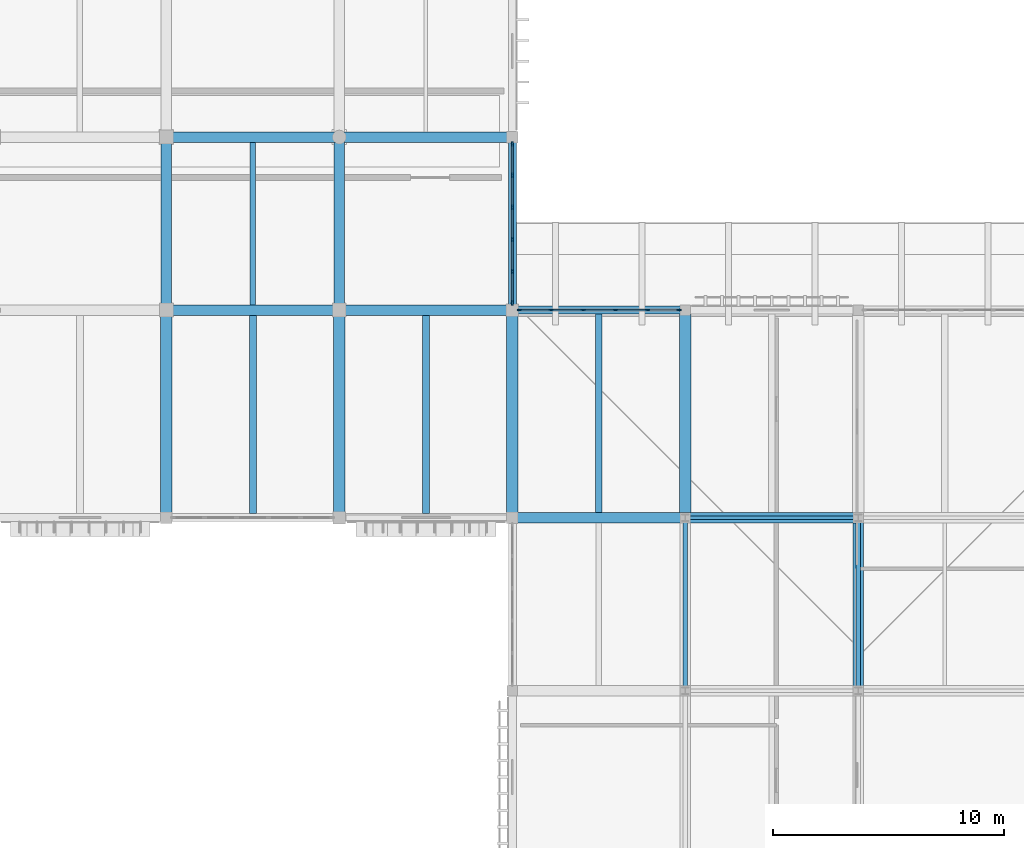
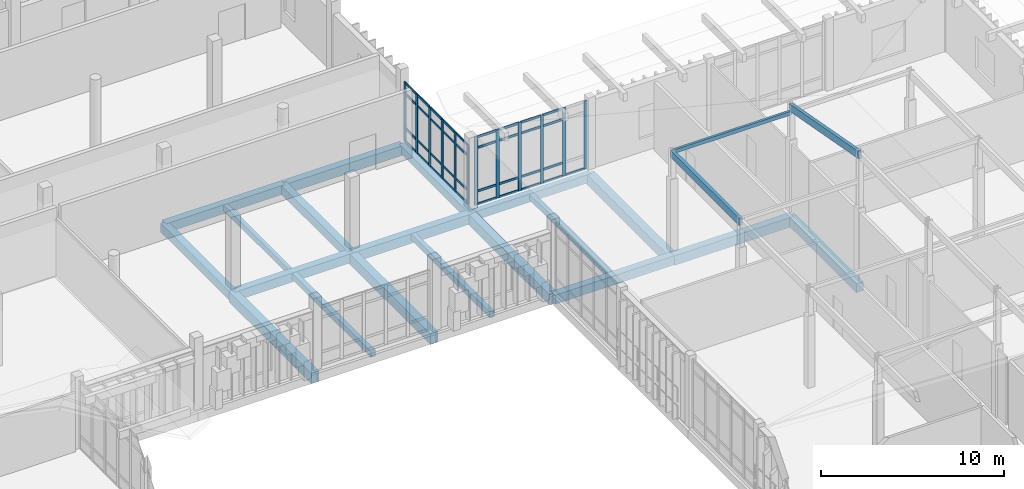
# One storey, part 70 of 131: 50 members, 21 beams, 2 elements without a shape of their own.
"""IFC4 building model written with IfcOpenShell, lengths in metres."""

from ifc_helpers import new_model, si_unit, direction, frame, origin, origin_2d, place, context, subcontext, project, spatial, rectangle, hollow_rectangle, extrude, material, layer, layer_set, material_profile, profile_set, type_object, element, aggregate, save


model = new_model("IFC4")

# Units and contexts
model_context = context("Model", 3, precision=1e-05, world=origin(), true_north=direction((0.0, 1.0)))
body_context = subcontext(model_context, "Body", "Model", "MODEL_VIEW")
ifc_project = project(units=[si_unit("LENGTHUNIT", "METRE"), si_unit("AREAUNIT", "SQUARE_METRE"), si_unit("VOLUMEUNIT", "CUBIC_METRE"), si_unit("PLANEANGLEUNIT", "RADIAN"), si_unit("MASSUNIT", "GRAM", prefix="KILO")], contexts=[model_context])

# Site, building, storey
site_placement = place(None, origin())
site = spatial("IfcSite", under=ifc_project, at=site_placement, CompositionType="ELEMENT")
building_placement = place(site_placement, origin())
building = spatial("IfcBuilding", under=site, at=building_placement, Name="Dalvernix Boulevard General Hospital", CompositionType="ELEMENT")
storey_placement = place(building_placement, frame((0.0, 0.0, 9.300048828125)))
storey = spatial("IfcBuildingStorey", under=building, at=storey_placement, Name="L02", CompositionType="ELEMENT", Elevation=9.300048828125)

# Beams
ifc_material_1 = material(Name="Concrete C35/45", Category="concrete")
ifc_material_profile_1 = material_profile(ifc_material_1, rectangle(XDim=0.5, YDim=0.699951171875, at=origin_2d()), Name="RCB 500x700")
ifc_profile_set_1 = profile_set([ifc_material_profile_1], Name="Concrete C35/45")
beam_type_1 = type_object("IfcBeamType", Name="BM-B-01-I", PredefinedType="BEAM", material=ifc_profile_set_1)
for number, where, z_axis, x_axis, name in (
    (1, (127.5, 76.5, -0.670166015625), (0.0, 1.0, 0.0), (-1.0, 0.0, 0.0), "L02 N-S girder 18:L-M"),
    (2, (135.0, 76.5, -0.670166015625), (0.0, 1.0, 0.0), (-1.0, 0.0, 0.0), "L02 N-S girder 19:L-M"),
    (3, (142.5, 76.5, -0.670166015625), (0.0, 1.0, 0.0), (-1.0, 0.0, 0.0), "L02 N-S girder 20:L-M"),
    (4, (150.0, 76.5, -0.670166015625), (0.0, 1.0, 0.0), (-1.0, 0.0, 0.0), "L02 N-S girder 21:L-M"),
):
    element("IfcBeam", number, at=place(storey_placement, frame(where, z_axis=z_axis, x_axis=x_axis)), inside=storey, type_object=beam_type_1, Name=name, PredefinedType="BEAM", context=body_context, shape_type="SweptSolid", body=[
        extrude(rectangle(XDim=0.5, YDim=0.699951171875, at=origin_2d()), origin(), (0.0, 0.0, 1.0), 9.0),
    ])
ifc_material_profile_2 = material_profile(ifc_material_1, rectangle(XDim=0.449951171875, YDim=0.64990234375, at=origin_2d()), Name="RCB 450x650")
ifc_profile_set_2 = profile_set([ifc_material_profile_2], Name="Concrete C35/45")
beam_type_2 = type_object("IfcBeamType", Name="BM-B-03-I", PredefinedType="BEAM", material=ifc_profile_set_2)
for number, where, z_axis, x_axis, name in (
    (5, (150.0, 76.5, -0.64501953125), (1.0, 0.0, 0.0), (0.0, 1.0, 0.0), "L02 E-W girder L:21-22"),
    (6, (135.0, 85.5, -0.64501953125), (1.0, 0.0, 0.0), (0.0, 1.0, 0.0), "L02 E-W girder M:19-20"),
    (7, (135.0, 93.0, -0.64501953125), (1.0, 0.0, 0.0), (0.0, 1.0, 0.0), "L02 E-W girder N:19-20"),
):
    element("IfcBeam", number, at=place(storey_placement, frame(where, z_axis=z_axis, x_axis=x_axis)), inside=storey, type_object=beam_type_2, Name=name, PredefinedType="BEAM", context=body_context, shape_type="SweptSolid", body=[
        extrude(rectangle(XDim=0.449951171875, YDim=0.64990234375, at=origin_2d()), origin(), (0.0, 0.0, 1.0), 7.5),
    ])
ifc_material_profile_3 = material_profile(ifc_material_1, rectangle(XDim=0.449951171875, YDim=0.60009765625, at=origin_2d()), Name="RCB 450x600")
ifc_profile_set_3 = profile_set([ifc_material_profile_3], Name="Concrete C35/45")
beam_type_3 = type_object("IfcBeamType", Name="BM-B-04-I", PredefinedType="BEAM", material=ifc_profile_set_3)
for number, where, z_axis, x_axis, name in (
    (8, (142.5, 76.5, -0.6201171875), (1.0, 0.0, 0.0), (0.0, 1.0, 0.0), "L02 E-W girder L:20-21"),
    (9, (127.5, 85.5, -0.6201171875), (1.0, 0.0, 0.0), (0.0, 1.0, 0.0), "L02 E-W girder M:18-19"),
    (10, (127.5, 93.0, -0.6201171875), (1.0, 0.0, 0.0), (0.0, 1.0, 0.0), "L02 E-W girder N:18-19"),
    (11, (127.5, 85.5, -0.6201171875), (0.0, 1.0, 0.0), (-1.0, 0.0, 0.0), "L02 N-S girder 18:M-N"),
    (12, (135.0, 85.5, -0.6201171875), (0.0, 1.0, 0.0), (-1.0, 0.0, 0.0), "L02 N-S girder 19:M-N"),
    (13, (157.5, 69.0, -0.6201171875), (0.0, 1.0, 0.0), (-1.0, 0.0, 0.0), "L02 N-S girder 22:K-L"),
):
    element("IfcBeam", number, at=place(storey_placement, frame(where, z_axis=z_axis, x_axis=x_axis)), inside=storey, type_object=beam_type_3, Name=name, PredefinedType="BEAM", context=body_context, shape_type="SweptSolid", body=[
        extrude(rectangle(XDim=0.449951171875, YDim=0.60009765625, at=origin_2d()), origin(), (0.0, 0.0, 1.0), 7.5),
    ])
ifc_material_2 = material(Name="Glulam GL28h", Category="wood")
ifc_material_profile_4 = material_profile(ifc_material_2, rectangle(XDim=0.199951171875, YDim=0.47998046875, at=origin_2d()), Name="GL28h 200x480")
ifc_profile_set_4 = profile_set([ifc_material_profile_4], Name="Glulam GL28h")
beam_type_4 = type_object("IfcBeamType", Name="BM-GB-T3", PredefinedType="JOIST", material=ifc_profile_set_4)
beam_1_placement = place(storey_placement, frame((150.0, 69.0, 6.371826171875), z_axis=(0.0, 1.0, 0.0), x_axis=(-1.0, 0.0, 0.0)))
element("IfcBeam", 14, at=beam_1_placement, inside=storey, type_object=beam_type_4, Name="V2 pitched glulam rafter 21:K-L", PredefinedType="JOIST", context=body_context, shape_type="SweptSolid", body=[
    extrude(rectangle(XDim=0.199951171875, YDim=0.47998046875, at=origin_2d()), origin(), (0.0, 0.0, 1.0), 7.5),
])
beam_2_placement = place(storey_placement, frame((157.5, 69.0, 8.2138671875), z_axis=(0.0, 0.983595197228, -0.180389822304), x_axis=(-1.0, 0.0, 0.0)))
element("IfcBeam", 15, at=beam_2_placement, inside=storey, type_object=beam_type_4, Name="V2 pitched glulam rafter 22:K-L", PredefinedType="JOIST", context=body_context, shape_type="SweptSolid", body=[
    extrude(rectangle(XDim=0.199951171875, YDim=0.47998046875, at=origin_2d()), origin(), (0.0, 0.0, 1.0), 7.625),
])
ifc_material_profile_5 = material_profile(ifc_material_1, rectangle(XDim=0.300048828125, YDim=0.39990234375, at=origin_2d()), Name="RCB 300x400")
ifc_profile_set_5 = profile_set([ifc_material_profile_5], Name="Concrete C35/45")
beam_type_5 = type_object("IfcBeamType", Name="BM-JB-01", PredefinedType="JOIST", material=ifc_profile_set_5)
for number, where, z_axis, x_axis, name in (
    (16, (131.25, 76.675048828125, -0.52001953125), (0.0, 1.0, 0.0), (-1.0, 0.0, 0.0), "L02 secondary floor beam 18-L"),
    (17, (138.75, 76.675048828125, -0.52001953125), (0.0, 1.0, 0.0), (-1.0, 0.0, 0.0), "L02 secondary floor beam 19-L"),
    (18, (146.25, 76.72509765625, -0.52001953125), (0.0, 1.0, 0.0), (-1.0, 0.0, 0.0), "L02 secondary floor beam 20-L"),
):
    element("IfcBeam", number, at=place(storey_placement, frame(where, z_axis=z_axis, x_axis=x_axis)), inside=storey, type_object=beam_type_5, Name=name, PredefinedType="JOIST", context=body_context, shape_type="SweptSolid", body=[
        extrude(rectangle(XDim=0.300048828125, YDim=0.39990234375, at=origin_2d()), origin(), (0.0, 0.0, 1.0), 8.599853515625),
    ])
ifc_material_profile_6 = material_profile(ifc_material_1, rectangle(XDim=0.25, YDim=0.39990234375, at=origin_2d()), Name="RCB 250x400")
ifc_profile_set_6 = profile_set([ifc_material_profile_6], Name="Concrete C35/45")
beam_type_6 = type_object("IfcBeamType", Name="BM-JB-02", PredefinedType="JOIST", material=ifc_profile_set_6)
beam_3_placement = place(storey_placement, frame((131.25, 85.72509765625, -0.52001953125), z_axis=(0.0, 1.0, 0.0), x_axis=(-1.0, 0.0, 0.0)))
element("IfcBeam", 19, at=beam_3_placement, inside=storey, type_object=beam_type_6, Name="L02 secondary floor beam 18-M", PredefinedType="JOIST", context=body_context, shape_type="SweptSolid", body=[
    extrude(rectangle(XDim=0.25, YDim=0.39990234375, at=origin_2d()), origin(), (0.0, 0.0, 1.0), 7.0498046875),
])
ifc_material_profile_7 = material_profile(ifc_material_1, rectangle(XDim=0.35009765625, YDim=0.550048828125, at=origin_2d()), Name="RCB 350x550")
ifc_profile_set_7 = profile_set([ifc_material_profile_7], Name="Concrete C35/45")
beam_type_7 = type_object("IfcBeamType", Name="BM-SB-01-E", PredefinedType="SPANDREL", material=ifc_profile_set_7)
for number, where, z_axis, x_axis, name in (
    (20, (142.5, 85.5, -0.594970703125), (1.0, 0.0, 0.0), (0.0, 1.0, 0.0), "L02 E-W girder M:20-21"),
    (21, (142.5, 85.5, -0.594970703125), (0.0, 1.0, 0.0), (-1.0, 0.0, 0.0), "L02 N-S girder 20:M-N"),
):
    element("IfcBeam", number, at=place(storey_placement, frame(where, z_axis=z_axis, x_axis=x_axis)), inside=storey, type_object=beam_type_7, Name=name, PredefinedType="SPANDREL", context=body_context, shape_type="SweptSolid", body=[
        extrude(rectangle(XDim=0.35009765625, YDim=0.550048828125, at=origin_2d()), origin(), (0.0, 0.0, 1.0), 7.5),
    ])

# Curtain wall, members
ifc_material_3 = material(Name="Thermally broken aluminium and solar-control glass curtain wall", Category="aluminium")
ifc_layer_1 = layer(ifc_material_3, 0.199951171875)
ifc_layer_set_1 = layer_set([ifc_layer_1], Name="Thermally broken aluminium and solar-control glass curtain wall (CW-CW-C-70x40)")
curtain_wall_type_1 = type_object("IfcCurtainWallType", Name="CW-CW-C-70x40", PredefinedType="USERDEFINED", material=ifc_layer_set_1)
curtain_wall_1_placement = place(storey_placement, origin())
curtain_wall_1 = element("IfcCurtainWall", 22, at=curtain_wall_1_placement, inside=storey, type_object=curtain_wall_type_1, Name="L02 curtain wall CW-C-70x40 19-11", ObjectType="GLAZED FACADE", PredefinedType="USERDEFINED")
ifc_material_4 = material(Name="Aluminium EN AW-6060", Category="aluminium")
ifc_material_profile_8 = material_profile(ifc_material_4, rectangle(XDim=0.070068359375, YDim=0.199951171875, at=origin_2d()), Name="ALU MULL 70x200")
ifc_profile_set_8 = profile_set([ifc_material_profile_8], Name="Aluminium EN AW-6060")
member_type_1 = type_object("IfcMemberType", Name="MEM-CW-M3", PredefinedType="MULLION", material=ifc_profile_set_8)
member_1_placement = place(storey_placement, frame((142.5, 92.705078125, 0.0), z_axis=(0.0, 0.0, 1.0), x_axis=(1.0, 0.0, 0.0)))
member_1 = element("IfcMember", 23, at=member_1_placement, type_object=member_type_1, Name="CW-C-70x40 mullion 1", PredefinedType="MULLION", context=body_context, shape_type="SweptSolid", body=[
    extrude(rectangle(XDim=0.070068359375, YDim=0.199951171875, at=origin_2d()), origin(), (0.0, 0.0, 1.0), 3.949951171875),
])
member_2_placement = place(storey_placement, frame((142.5, 91.34912109375, 0.0), z_axis=(0.0, 0.0, 1.0), x_axis=(1.0, 0.0, 0.0)))
member_2 = element("IfcMember", 24, at=member_2_placement, type_object=member_type_1, Name="CW-C-70x40 mullion 2", PredefinedType="MULLION", context=body_context, shape_type="SweptSolid", body=[
    extrude(rectangle(XDim=0.070068359375, YDim=0.199951171875, at=origin_2d()), origin(), (0.0, 0.0, 1.0), 3.949951171875),
])
member_3_placement = place(storey_placement, frame((142.5, 89.9580078125, 0.0), z_axis=(0.0, 0.0, 1.0), x_axis=(1.0, 0.0, 0.0)))
member_3 = element("IfcMember", 25, at=member_3_placement, type_object=member_type_1, Name="CW-C-70x40 mullion 3", PredefinedType="MULLION", context=body_context, shape_type="SweptSolid", body=[
    extrude(rectangle(XDim=0.070068359375, YDim=0.199951171875, at=origin_2d()), origin(), (0.0, 0.0, 1.0), 3.949951171875),
])
member_4_placement = place(storey_placement, frame((142.5, 88.56689453125, 0.0), z_axis=(0.0, 0.0, 1.0), x_axis=(1.0, 0.0, 0.0)))
member_4 = element("IfcMember", 26, at=member_4_placement, type_object=member_type_1, Name="CW-C-70x40 mullion 4", PredefinedType="MULLION", context=body_context, shape_type="SweptSolid", body=[
    extrude(rectangle(XDim=0.070068359375, YDim=0.199951171875, at=origin_2d()), origin(), (0.0, 0.0, 1.0), 3.949951171875),
])
member_5_placement = place(storey_placement, frame((142.5, 87.176025390625, 0.0), z_axis=(0.0, 0.0, 1.0), x_axis=(1.0, 0.0, 0.0)))
member_5 = element("IfcMember", 27, at=member_5_placement, type_object=member_type_1, Name="CW-C-70x40 mullion 5", PredefinedType="MULLION", context=body_context, shape_type="SweptSolid", body=[
    extrude(rectangle(XDim=0.070068359375, YDim=0.199951171875, at=origin_2d()), origin(), (0.0, 0.0, 1.0), 3.949951171875),
])
member_6_placement = place(storey_placement, frame((142.5, 85.820068359375, 0.0), z_axis=(0.0, 0.0, 1.0), x_axis=(1.0, 0.0, 0.0)))
member_6 = element("IfcMember", 28, at=member_6_placement, type_object=member_type_1, Name="CW-C-70x40 mullion 6", PredefinedType="MULLION", context=body_context, shape_type="SweptSolid", body=[
    extrude(rectangle(XDim=0.070068359375, YDim=0.199951171875, at=origin_2d()), origin(), (0.0, 0.0, 1.0), 3.949951171875),
])

ifc_layer_2 = layer(ifc_material_3, 0.199951171875)
ifc_layer_set_2 = layer_set([ifc_layer_2], Name="Thermally broken aluminium and solar-control glass curtain wall (CW-CW-C-70x46)")
curtain_wall_type_2 = type_object("IfcCurtainWallType", Name="CW-CW-C-70x46", PredefinedType="USERDEFINED", material=ifc_layer_set_2)
curtain_wall_2_placement = place(storey_placement, origin())
curtain_wall_2 = element("IfcCurtainWall", 29, at=curtain_wall_2_placement, inside=storey, type_object=curtain_wall_type_2, Name="L02 curtain wall CW-C-70x46 19-11", ObjectType="GLAZED FACADE", PredefinedType="USERDEFINED")
member_7_placement = place(storey_placement, frame((142.820068359375, 85.5, 0.0), z_axis=(0.0, 0.0, 1.0), x_axis=(0.0, 1.0, 0.0)))
member_7 = element("IfcMember", 30, at=member_7_placement, type_object=member_type_1, Name="CW-C-70x46 mullion 1", PredefinedType="MULLION", context=body_context, shape_type="SweptSolid", body=[
    extrude(rectangle(XDim=0.070068359375, YDim=0.199951171875, at=origin_2d()), origin(), (0.0, 0.0, 1.0), 4.550048828125),
])
member_8_placement = place(storey_placement, frame((144.180908203125, 85.5, 0.0), z_axis=(0.0, 0.0, 1.0), x_axis=(0.0, 1.0, 0.0)))
member_8 = element("IfcMember", 31, at=member_8_placement, type_object=member_type_1, Name="CW-C-70x46 mullion 2", PredefinedType="MULLION", context=body_context, shape_type="SweptSolid", body=[
    extrude(rectangle(XDim=0.070068359375, YDim=0.199951171875, at=origin_2d()), origin(), (0.0, 0.0, 1.0), 4.550048828125),
])
member_9_placement = place(storey_placement, frame((145.576904296875, 85.5, 0.0), z_axis=(0.0, 0.0, 1.0), x_axis=(0.0, 1.0, 0.0)))
member_9 = element("IfcMember", 32, at=member_9_placement, type_object=member_type_1, Name="CW-C-70x46 mullion 3", PredefinedType="MULLION", context=body_context, shape_type="SweptSolid", body=[
    extrude(rectangle(XDim=0.070068359375, YDim=0.199951171875, at=origin_2d()), origin(), (0.0, 0.0, 1.0), 4.550048828125),
])
member_10_placement = place(storey_placement, frame((146.972900390625, 85.5, 0.0), z_axis=(0.0, 0.0, 1.0), x_axis=(0.0, 1.0, 0.0)))
member_10 = element("IfcMember", 33, at=member_10_placement, type_object=member_type_1, Name="CW-C-70x46 mullion 4", PredefinedType="MULLION", context=body_context, shape_type="SweptSolid", body=[
    extrude(rectangle(XDim=0.070068359375, YDim=0.199951171875, at=origin_2d()), origin(), (0.0, 0.0, 1.0), 4.550048828125),
])
member_11_placement = place(storey_placement, frame((148.368896484375, 85.5, 0.0), z_axis=(0.0, 0.0, 1.0), x_axis=(0.0, 1.0, 0.0)))
member_11 = element("IfcMember", 34, at=member_11_placement, type_object=member_type_1, Name="CW-C-70x46 mullion 5", PredefinedType="MULLION", context=body_context, shape_type="SweptSolid", body=[
    extrude(rectangle(XDim=0.070068359375, YDim=0.199951171875, at=origin_2d()), origin(), (0.0, 0.0, 1.0), 4.550048828125),
])
member_12_placement = place(storey_placement, frame((149.72998046875, 85.5, 0.0), z_axis=(0.0, 0.0, 1.0), x_axis=(0.0, 1.0, 0.0)))
member_12 = element("IfcMember", 35, at=member_12_placement, type_object=member_type_1, Name="CW-C-70x46 mullion 6", PredefinedType="MULLION", context=body_context, shape_type="SweptSolid", body=[
    extrude(rectangle(XDim=0.070068359375, YDim=0.199951171875, at=origin_2d()), origin(), (0.0, 0.0, 1.0), 4.550048828125),
])

# Member
ifc_material_profile_9 = material_profile(ifc_material_4, rectangle(XDim=0.070068359375, YDim=0.14990234375, at=origin_2d()), Name="ALU TRAN 70x150")
ifc_profile_set_9 = profile_set([ifc_material_profile_9], Name="Aluminium EN AW-6060")
member_type_2 = type_object("IfcMemberType", Name="MEM-CW-T3", PredefinedType="USERDEFINED", material=ifc_profile_set_9)
member_13_placement = place(storey_placement, frame((142.5, 92.669921875, 0.034912109375), z_axis=(0.0, -1.0, 0.0), x_axis=(1.0, 0.0, 0.0)))
member_13 = element("IfcMember", 36, at=member_13_placement, type_object=member_type_2, Name="CW-C-70x40 transom 1.1", ObjectType="TRANSOM", PredefinedType="USERDEFINED", context=body_context, shape_type="SweptSolid", body=[
    extrude(rectangle(XDim=0.070068359375, YDim=0.14990234375, at=origin_2d()), origin(), (0.0, 0.0, 1.0), 1.285888671875),
])

member_14_placement = place(storey_placement, frame((142.5, 92.669921875, 0.89990234375), z_axis=(0.0, -1.0, 0.0), x_axis=(1.0, 0.0, 0.0)))
member_14 = element("IfcMember", 37, at=member_14_placement, type_object=member_type_2, Name="CW-C-70x40 transom 1.2", ObjectType="TRANSOM", PredefinedType="USERDEFINED", context=body_context, shape_type="SweptSolid", body=[
    extrude(rectangle(XDim=0.070068359375, YDim=0.14990234375, at=origin_2d()), origin(), (0.0, 0.0, 1.0), 1.285888671875),
])

member_15_placement = place(storey_placement, frame((142.5, 92.669921875, 3.199951171875), z_axis=(0.0, -1.0, 0.0), x_axis=(1.0, 0.0, 0.0)))
member_15 = element("IfcMember", 38, at=member_15_placement, type_object=member_type_2, Name="CW-C-70x40 transom 1.3", ObjectType="TRANSOM", PredefinedType="USERDEFINED", context=body_context, shape_type="SweptSolid", body=[
    extrude(rectangle(XDim=0.070068359375, YDim=0.14990234375, at=origin_2d()), origin(), (0.0, 0.0, 1.0), 1.285888671875),
])

member_16_placement = place(storey_placement, frame((142.5, 92.669921875, 3.9150390625), z_axis=(0.0, -1.0, 0.0), x_axis=(1.0, 0.0, 0.0)))
member_16 = element("IfcMember", 39, at=member_16_placement, type_object=member_type_2, Name="CW-C-70x40 transom 1.4", ObjectType="TRANSOM", PredefinedType="USERDEFINED", context=body_context, shape_type="SweptSolid", body=[
    extrude(rectangle(XDim=0.070068359375, YDim=0.14990234375, at=origin_2d()), origin(), (0.0, 0.0, 1.0), 1.285888671875),
])

member_17_placement = place(storey_placement, frame((142.5, 91.31396484375, 0.034912109375), z_axis=(0.0, -1.0, 0.0), x_axis=(1.0, 0.0, 0.0)))
member_17 = element("IfcMember", 40, at=member_17_placement, type_object=member_type_2, Name="CW-C-70x40 transom 2.1", ObjectType="TRANSOM", PredefinedType="USERDEFINED", context=body_context, shape_type="SweptSolid", body=[
    extrude(rectangle(XDim=0.070068359375, YDim=0.14990234375, at=origin_2d()), origin(), (0.0, 0.0, 1.0), 1.321044921875),
])

member_18_placement = place(storey_placement, frame((142.5, 91.31396484375, 0.89990234375), z_axis=(0.0, -1.0, 0.0), x_axis=(1.0, 0.0, 0.0)))
member_18 = element("IfcMember", 41, at=member_18_placement, type_object=member_type_2, Name="CW-C-70x40 transom 2.2", ObjectType="TRANSOM", PredefinedType="USERDEFINED", context=body_context, shape_type="SweptSolid", body=[
    extrude(rectangle(XDim=0.070068359375, YDim=0.14990234375, at=origin_2d()), origin(), (0.0, 0.0, 1.0), 1.321044921875),
])

member_19_placement = place(storey_placement, frame((142.5, 91.31396484375, 3.199951171875), z_axis=(0.0, -1.0, 0.0), x_axis=(1.0, 0.0, 0.0)))
member_19 = element("IfcMember", 42, at=member_19_placement, type_object=member_type_2, Name="CW-C-70x40 transom 2.3", ObjectType="TRANSOM", PredefinedType="USERDEFINED", context=body_context, shape_type="SweptSolid", body=[
    extrude(rectangle(XDim=0.070068359375, YDim=0.14990234375, at=origin_2d()), origin(), (0.0, 0.0, 1.0), 1.321044921875),
])

member_20_placement = place(storey_placement, frame((142.5, 91.31396484375, 3.9150390625), z_axis=(0.0, -1.0, 0.0), x_axis=(1.0, 0.0, 0.0)))
member_20 = element("IfcMember", 43, at=member_20_placement, type_object=member_type_2, Name="CW-C-70x40 transom 2.4", ObjectType="TRANSOM", PredefinedType="USERDEFINED", context=body_context, shape_type="SweptSolid", body=[
    extrude(rectangle(XDim=0.070068359375, YDim=0.14990234375, at=origin_2d()), origin(), (0.0, 0.0, 1.0), 1.321044921875),
])

member_21_placement = place(storey_placement, frame((142.5, 89.923095703125, 0.034912109375), z_axis=(0.0, -1.0, 0.0), x_axis=(1.0, 0.0, 0.0)))
member_21 = element("IfcMember", 44, at=member_21_placement, type_object=member_type_2, Name="CW-C-70x40 transom 3.1", ObjectType="TRANSOM", PredefinedType="USERDEFINED", context=body_context, shape_type="SweptSolid", body=[
    extrude(rectangle(XDim=0.070068359375, YDim=0.14990234375, at=origin_2d()), origin(), (0.0, 0.0, 1.0), 1.321044921875),
])

member_22_placement = place(storey_placement, frame((142.5, 89.923095703125, 0.89990234375), z_axis=(0.0, -1.0, 0.0), x_axis=(1.0, 0.0, 0.0)))
member_22 = element("IfcMember", 45, at=member_22_placement, type_object=member_type_2, Name="CW-C-70x40 transom 3.2", ObjectType="TRANSOM", PredefinedType="USERDEFINED", context=body_context, shape_type="SweptSolid", body=[
    extrude(rectangle(XDim=0.070068359375, YDim=0.14990234375, at=origin_2d()), origin(), (0.0, 0.0, 1.0), 1.321044921875),
])

member_23_placement = place(storey_placement, frame((142.5, 89.923095703125, 3.199951171875), z_axis=(0.0, -1.0, 0.0), x_axis=(1.0, 0.0, 0.0)))
member_23 = element("IfcMember", 46, at=member_23_placement, type_object=member_type_2, Name="CW-C-70x40 transom 3.3", ObjectType="TRANSOM", PredefinedType="USERDEFINED", context=body_context, shape_type="SweptSolid", body=[
    extrude(rectangle(XDim=0.070068359375, YDim=0.14990234375, at=origin_2d()), origin(), (0.0, 0.0, 1.0), 1.321044921875),
])

member_24_placement = place(storey_placement, frame((142.5, 89.923095703125, 3.9150390625), z_axis=(0.0, -1.0, 0.0), x_axis=(1.0, 0.0, 0.0)))
member_24 = element("IfcMember", 47, at=member_24_placement, type_object=member_type_2, Name="CW-C-70x40 transom 3.4", ObjectType="TRANSOM", PredefinedType="USERDEFINED", context=body_context, shape_type="SweptSolid", body=[
    extrude(rectangle(XDim=0.070068359375, YDim=0.14990234375, at=origin_2d()), origin(), (0.0, 0.0, 1.0), 1.321044921875),
])

member_25_placement = place(storey_placement, frame((142.5, 88.531982421875, 0.034912109375), z_axis=(0.0, -1.0, 0.0), x_axis=(1.0, 0.0, 0.0)))
member_25 = element("IfcMember", 48, at=member_25_placement, type_object=member_type_2, Name="CW-C-70x40 transom 4.1", ObjectType="TRANSOM", PredefinedType="USERDEFINED", context=body_context, shape_type="SweptSolid", body=[
    extrude(rectangle(XDim=0.070068359375, YDim=0.14990234375, at=origin_2d()), origin(), (0.0, 0.0, 1.0), 1.321044921875),
])

member_26_placement = place(storey_placement, frame((142.5, 88.531982421875, 0.89990234375), z_axis=(0.0, -1.0, 0.0), x_axis=(1.0, 0.0, 0.0)))
member_26 = element("IfcMember", 49, at=member_26_placement, type_object=member_type_2, Name="CW-C-70x40 transom 4.2", ObjectType="TRANSOM", PredefinedType="USERDEFINED", context=body_context, shape_type="SweptSolid", body=[
    extrude(rectangle(XDim=0.070068359375, YDim=0.14990234375, at=origin_2d()), origin(), (0.0, 0.0, 1.0), 1.321044921875),
])

member_27_placement = place(storey_placement, frame((142.5, 88.531982421875, 3.199951171875), z_axis=(0.0, -1.0, 0.0), x_axis=(1.0, 0.0, 0.0)))
member_27 = element("IfcMember", 50, at=member_27_placement, type_object=member_type_2, Name="CW-C-70x40 transom 4.3", ObjectType="TRANSOM", PredefinedType="USERDEFINED", context=body_context, shape_type="SweptSolid", body=[
    extrude(rectangle(XDim=0.070068359375, YDim=0.14990234375, at=origin_2d()), origin(), (0.0, 0.0, 1.0), 1.321044921875),
])

member_28_placement = place(storey_placement, frame((142.5, 88.531982421875, 3.9150390625), z_axis=(0.0, -1.0, 0.0), x_axis=(1.0, 0.0, 0.0)))
member_28 = element("IfcMember", 51, at=member_28_placement, type_object=member_type_2, Name="CW-C-70x40 transom 4.4", ObjectType="TRANSOM", PredefinedType="USERDEFINED", context=body_context, shape_type="SweptSolid", body=[
    extrude(rectangle(XDim=0.070068359375, YDim=0.14990234375, at=origin_2d()), origin(), (0.0, 0.0, 1.0), 1.321044921875),
])

member_29_placement = place(storey_placement, frame((142.5, 87.14111328125, 0.034912109375), z_axis=(0.0, -1.0, 0.0), x_axis=(1.0, 0.0, 0.0)))
member_29 = element("IfcMember", 52, at=member_29_placement, type_object=member_type_2, Name="CW-C-70x40 transom 5.1", ObjectType="TRANSOM", PredefinedType="USERDEFINED", context=body_context, shape_type="SweptSolid", body=[
    extrude(rectangle(XDim=0.070068359375, YDim=0.14990234375, at=origin_2d()), origin(), (0.0, 0.0, 1.0), 1.2861328125),
])

member_30_placement = place(storey_placement, frame((142.5, 87.14111328125, 0.89990234375), z_axis=(0.0, -1.0, 0.0), x_axis=(1.0, 0.0, 0.0)))
member_30 = element("IfcMember", 53, at=member_30_placement, type_object=member_type_2, Name="CW-C-70x40 transom 5.2", ObjectType="TRANSOM", PredefinedType="USERDEFINED", context=body_context, shape_type="SweptSolid", body=[
    extrude(rectangle(XDim=0.070068359375, YDim=0.14990234375, at=origin_2d()), origin(), (0.0, 0.0, 1.0), 1.2861328125),
])

member_31_placement = place(storey_placement, frame((142.5, 87.14111328125, 3.199951171875), z_axis=(0.0, -1.0, 0.0), x_axis=(1.0, 0.0, 0.0)))
member_31 = element("IfcMember", 54, at=member_31_placement, type_object=member_type_2, Name="CW-C-70x40 transom 5.3", ObjectType="TRANSOM", PredefinedType="USERDEFINED", context=body_context, shape_type="SweptSolid", body=[
    extrude(rectangle(XDim=0.070068359375, YDim=0.14990234375, at=origin_2d()), origin(), (0.0, 0.0, 1.0), 1.2861328125),
])

member_32_placement = place(storey_placement, frame((142.5, 87.14111328125, 3.9150390625), z_axis=(0.0, -1.0, 0.0), x_axis=(1.0, 0.0, 0.0)))
member_32 = element("IfcMember", 55, at=member_32_placement, type_object=member_type_2, Name="CW-C-70x40 transom 5.4", ObjectType="TRANSOM", PredefinedType="USERDEFINED", context=body_context, shape_type="SweptSolid", body=[
    extrude(rectangle(XDim=0.070068359375, YDim=0.14990234375, at=origin_2d()), origin(), (0.0, 0.0, 1.0), 1.2861328125),
])

aggregate(curtain_wall_1, [member_1, member_2, member_3, member_4, member_5, member_6, member_13, member_14, member_15, member_16, member_17, member_18, member_19, member_20, member_21, member_22, member_23, member_24, member_25, member_26, member_27, member_28, member_29, member_30, member_31, member_32])

member_33_placement = place(storey_placement, frame((142.85498046875, 85.5, 0.034912109375), z_axis=(1.0, 0.0, 0.0), x_axis=(0.0, 1.0, 0.0)))
member_33 = element("IfcMember", 56, at=member_33_placement, type_object=member_type_2, Name="CW-C-70x46 transom 1.1", ObjectType="TRANSOM", PredefinedType="USERDEFINED", context=body_context, shape_type="SweptSolid", body=[
    extrude(rectangle(XDim=0.070068359375, YDim=0.14990234375, at=origin_2d()), origin(), (0.0, 0.0, 1.0), 1.291015625),
])

member_34_placement = place(storey_placement, frame((142.85498046875, 85.5, 0.89990234375), z_axis=(1.0, 0.0, 0.0), x_axis=(0.0, 1.0, 0.0)))
member_34 = element("IfcMember", 57, at=member_34_placement, type_object=member_type_2, Name="CW-C-70x46 transom 1.2", ObjectType="TRANSOM", PredefinedType="USERDEFINED", context=body_context, shape_type="SweptSolid", body=[
    extrude(rectangle(XDim=0.070068359375, YDim=0.14990234375, at=origin_2d()), origin(), (0.0, 0.0, 1.0), 1.291015625),
])

member_35_placement = place(storey_placement, frame((142.85498046875, 85.5, 3.800048828125), z_axis=(1.0, 0.0, 0.0), x_axis=(0.0, 1.0, 0.0)))
member_35 = element("IfcMember", 58, at=member_35_placement, type_object=member_type_2, Name="CW-C-70x46 transom 1.3", ObjectType="TRANSOM", PredefinedType="USERDEFINED", context=body_context, shape_type="SweptSolid", body=[
    extrude(rectangle(XDim=0.070068359375, YDim=0.14990234375, at=origin_2d()), origin(), (0.0, 0.0, 1.0), 1.291015625),
])

member_36_placement = place(storey_placement, frame((142.85498046875, 85.5, 4.514892578125), z_axis=(1.0, 0.0, 0.0), x_axis=(0.0, 1.0, 0.0)))
member_36 = element("IfcMember", 59, at=member_36_placement, type_object=member_type_2, Name="CW-C-70x46 transom 1.4", ObjectType="TRANSOM", PredefinedType="USERDEFINED", context=body_context, shape_type="SweptSolid", body=[
    extrude(rectangle(XDim=0.070068359375, YDim=0.14990234375, at=origin_2d()), origin(), (0.0, 0.0, 1.0), 1.291015625),
])

member_37_placement = place(storey_placement, frame((144.216064453125, 85.5, 0.034912109375), z_axis=(1.0, 0.0, 0.0), x_axis=(0.0, 1.0, 0.0)))
member_37 = element("IfcMember", 60, at=member_37_placement, type_object=member_type_2, Name="CW-C-70x46 transom 2.1", ObjectType="TRANSOM", PredefinedType="USERDEFINED", context=body_context, shape_type="SweptSolid", body=[
    extrude(rectangle(XDim=0.070068359375, YDim=0.14990234375, at=origin_2d()), origin(), (0.0, 0.0, 1.0), 1.325927734375),
])

member_38_placement = place(storey_placement, frame((144.216064453125, 85.5, 0.89990234375), z_axis=(1.0, 0.0, 0.0), x_axis=(0.0, 1.0, 0.0)))
member_38 = element("IfcMember", 61, at=member_38_placement, type_object=member_type_2, Name="CW-C-70x46 transom 2.2", ObjectType="TRANSOM", PredefinedType="USERDEFINED", context=body_context, shape_type="SweptSolid", body=[
    extrude(rectangle(XDim=0.070068359375, YDim=0.14990234375, at=origin_2d()), origin(), (0.0, 0.0, 1.0), 1.325927734375),
])

member_39_placement = place(storey_placement, frame((144.216064453125, 85.5, 3.800048828125), z_axis=(1.0, 0.0, 0.0), x_axis=(0.0, 1.0, 0.0)))
member_39 = element("IfcMember", 62, at=member_39_placement, type_object=member_type_2, Name="CW-C-70x46 transom 2.3", ObjectType="TRANSOM", PredefinedType="USERDEFINED", context=body_context, shape_type="SweptSolid", body=[
    extrude(rectangle(XDim=0.070068359375, YDim=0.14990234375, at=origin_2d()), origin(), (0.0, 0.0, 1.0), 1.325927734375),
])

member_40_placement = place(storey_placement, frame((144.216064453125, 85.5, 4.514892578125), z_axis=(1.0, 0.0, 0.0), x_axis=(0.0, 1.0, 0.0)))
member_40 = element("IfcMember", 63, at=member_40_placement, type_object=member_type_2, Name="CW-C-70x46 transom 2.4", ObjectType="TRANSOM", PredefinedType="USERDEFINED", context=body_context, shape_type="SweptSolid", body=[
    extrude(rectangle(XDim=0.070068359375, YDim=0.14990234375, at=origin_2d()), origin(), (0.0, 0.0, 1.0), 1.325927734375),
])

member_41_placement = place(storey_placement, frame((145.612060546875, 85.5, 0.034912109375), z_axis=(1.0, 0.0, 0.0), x_axis=(0.0, 1.0, 0.0)))
member_41 = element("IfcMember", 64, at=member_41_placement, type_object=member_type_2, Name="CW-C-70x46 transom 3.1", ObjectType="TRANSOM", PredefinedType="USERDEFINED", context=body_context, shape_type="SweptSolid", body=[
    extrude(rectangle(XDim=0.070068359375, YDim=0.14990234375, at=origin_2d()), origin(), (0.0, 0.0, 1.0), 1.325927734375),
])

member_42_placement = place(storey_placement, frame((145.612060546875, 85.5, 0.89990234375), z_axis=(1.0, 0.0, 0.0), x_axis=(0.0, 1.0, 0.0)))
member_42 = element("IfcMember", 65, at=member_42_placement, type_object=member_type_2, Name="CW-C-70x46 transom 3.2", ObjectType="TRANSOM", PredefinedType="USERDEFINED", context=body_context, shape_type="SweptSolid", body=[
    extrude(rectangle(XDim=0.070068359375, YDim=0.14990234375, at=origin_2d()), origin(), (0.0, 0.0, 1.0), 1.325927734375),
])

member_43_placement = place(storey_placement, frame((145.612060546875, 85.5, 3.800048828125), z_axis=(1.0, 0.0, 0.0), x_axis=(0.0, 1.0, 0.0)))
member_43 = element("IfcMember", 66, at=member_43_placement, type_object=member_type_2, Name="CW-C-70x46 transom 3.3", ObjectType="TRANSOM", PredefinedType="USERDEFINED", context=body_context, shape_type="SweptSolid", body=[
    extrude(rectangle(XDim=0.070068359375, YDim=0.14990234375, at=origin_2d()), origin(), (0.0, 0.0, 1.0), 1.325927734375),
])

member_44_placement = place(storey_placement, frame((145.612060546875, 85.5, 4.514892578125), z_axis=(1.0, 0.0, 0.0), x_axis=(0.0, 1.0, 0.0)))
member_44 = element("IfcMember", 67, at=member_44_placement, type_object=member_type_2, Name="CW-C-70x46 transom 3.4", ObjectType="TRANSOM", PredefinedType="USERDEFINED", context=body_context, shape_type="SweptSolid", body=[
    extrude(rectangle(XDim=0.070068359375, YDim=0.14990234375, at=origin_2d()), origin(), (0.0, 0.0, 1.0), 1.325927734375),
])

member_45_placement = place(storey_placement, frame((147.008056640625, 85.5, 0.034912109375), z_axis=(1.0, 0.0, 0.0), x_axis=(0.0, 1.0, 0.0)))
member_45 = element("IfcMember", 68, at=member_45_placement, type_object=member_type_2, Name="CW-C-70x46 transom 4.1", ObjectType="TRANSOM", PredefinedType="USERDEFINED", context=body_context, shape_type="SweptSolid", body=[
    extrude(rectangle(XDim=0.070068359375, YDim=0.14990234375, at=origin_2d()), origin(), (0.0, 0.0, 1.0), 1.325927734375),
])

member_46_placement = place(storey_placement, frame((147.008056640625, 85.5, 0.89990234375), z_axis=(1.0, 0.0, 0.0), x_axis=(0.0, 1.0, 0.0)))
member_46 = element("IfcMember", 69, at=member_46_placement, type_object=member_type_2, Name="CW-C-70x46 transom 4.2", ObjectType="TRANSOM", PredefinedType="USERDEFINED", context=body_context, shape_type="SweptSolid", body=[
    extrude(rectangle(XDim=0.070068359375, YDim=0.14990234375, at=origin_2d()), origin(), (0.0, 0.0, 1.0), 1.325927734375),
])

member_47_placement = place(storey_placement, frame((147.008056640625, 85.5, 3.800048828125), z_axis=(1.0, 0.0, 0.0), x_axis=(0.0, 1.0, 0.0)))
member_47 = element("IfcMember", 70, at=member_47_placement, type_object=member_type_2, Name="CW-C-70x46 transom 4.3", ObjectType="TRANSOM", PredefinedType="USERDEFINED", context=body_context, shape_type="SweptSolid", body=[
    extrude(rectangle(XDim=0.070068359375, YDim=0.14990234375, at=origin_2d()), origin(), (0.0, 0.0, 1.0), 1.325927734375),
])

member_48_placement = place(storey_placement, frame((147.008056640625, 85.5, 4.514892578125), z_axis=(1.0, 0.0, 0.0), x_axis=(0.0, 1.0, 0.0)))
member_48 = element("IfcMember", 71, at=member_48_placement, type_object=member_type_2, Name="CW-C-70x46 transom 4.4", ObjectType="TRANSOM", PredefinedType="USERDEFINED", context=body_context, shape_type="SweptSolid", body=[
    extrude(rectangle(XDim=0.070068359375, YDim=0.14990234375, at=origin_2d()), origin(), (0.0, 0.0, 1.0), 1.325927734375),
])

member_49_placement = place(storey_placement, frame((148.404052734375, 85.5, 0.034912109375), z_axis=(1.0, 0.0, 0.0), x_axis=(0.0, 1.0, 0.0)))
member_49 = element("IfcMember", 72, at=member_49_placement, type_object=member_type_2, Name="CW-C-70x46 transom 5.1", ObjectType="TRANSOM", PredefinedType="USERDEFINED", context=body_context, shape_type="SweptSolid", body=[
    extrude(rectangle(XDim=0.070068359375, YDim=0.14990234375, at=origin_2d()), origin(), (0.0, 0.0, 1.0), 1.291015625),
])

aggregate(curtain_wall_2, [member_7, member_8, member_9, member_10, member_11, member_12, member_33, member_34, member_35, member_36, member_37, member_38, member_39, member_40, member_41, member_42, member_43, member_44, member_45, member_46, member_47, member_48, member_49])

ifc_material_5 = material(Name="Steel S355", Category="steel")
ifc_material_profile_10 = material_profile(ifc_material_5, hollow_rectangle(XDim=0.14990234375, YDim=0.25, WallThickness=0.010009765625, at=origin_2d()), Name="RHS 250x150x10.0")
ifc_profile_set_10 = profile_set([ifc_material_profile_10], Name="Steel S355")
member_type_3 = type_object("IfcMemberType", Name="MEM-PR-04", PredefinedType="PURLIN", material=ifc_profile_set_10)
member_50_placement = place(storey_placement, frame((150.0, 76.5, 6.496826171875), z_axis=(1.0, 0.0, 0.0), x_axis=(0.0, 1.0, 0.0)))
element("IfcMember", 73, at=member_50_placement, inside=storey, type_object=member_type_3, Name="V2 attic purlin 21-22:L", PredefinedType="PURLIN", context=body_context, shape_type="SweptSolid", body=[
    extrude(hollow_rectangle(XDim=0.14990234375, YDim=0.25, WallThickness=0.010009765625, at=origin_2d()), origin(), (0.0, 0.0, 1.0), 7.5),
])

save(model, "model.ifc")
